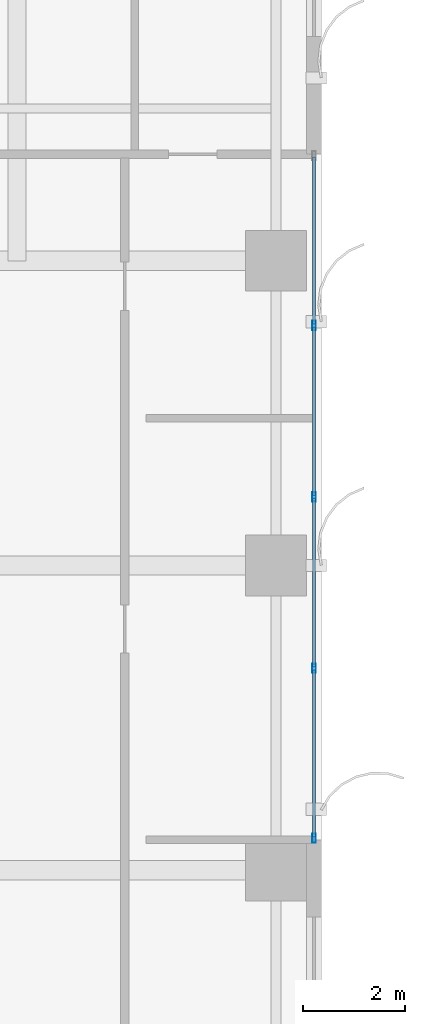
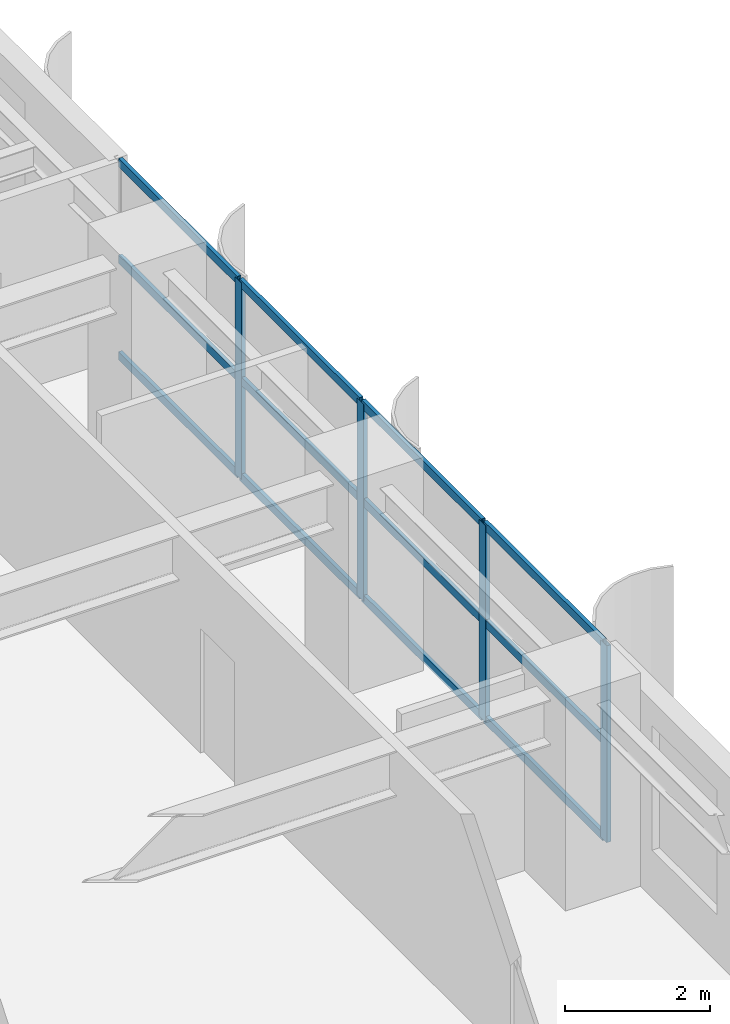
# One storey, part 4 of 16: 16 members, 1 element without a shape of its own.
"""IFC4 building model written with IfcOpenShell, lengths in metres."""

from ifc_helpers import new_model, si_unit, direction, frame, origin, origin_2d, place, context, subcontext, project, spatial, hollow_rectangle, extrude, source, transform, mapped, material, layer, layer_set, material_profile, profile_set, type_object, element, aggregate, save


model = new_model("IFC4")

# Units and contexts
model_context = context("Model", 3, precision=1e-05, world=origin(), true_north=direction((0.0, 1.0)))
body_context = subcontext(model_context, "Body", "Model", "MODEL_VIEW")
ifc_project = project(units=[si_unit("LENGTHUNIT", "METRE"), si_unit("AREAUNIT", "SQUARE_METRE"), si_unit("VOLUMEUNIT", "CUBIC_METRE"), si_unit("PLANEANGLEUNIT", "RADIAN"), si_unit("MASSUNIT", "GRAM", prefix="KILO")], contexts=[model_context])

# Site, building, storey
site_placement = place(None, origin())
site = spatial("IfcSite", under=ifc_project, at=site_placement, CompositionType="ELEMENT")
building_placement = place(site_placement, origin())
building = spatial("IfcBuilding", under=site, at=building_placement, Name="Khoralis Quay Care Tower", CompositionType="ELEMENT")
storey_placement = place(building_placement, frame((0.0, 0.0, 29.699951171875)))
storey = spatial("IfcBuildingStorey", under=building, at=storey_placement, Name="L07", CompositionType="ELEMENT", Elevation=29.699951171875)

# Curtain wall, members
ifc_material = material(Name="Pale anodised aluminium", Category="aluminium")
ifc_layer = layer(ifc_material, 0.179931640625)
ifc_layer_set = layer_set([ifc_layer], Name="Pale anodised aluminium")
curtain_wall_type = type_object("IfcCurtainWallType", Name="CW-SYS-Z1", PredefinedType="NOTDEFINED", material=ifc_layer_set)
curtain_wall_placement = place(storey_placement, origin())
curtain_wall = element("IfcCurtainWall", 1, at=curtain_wall_placement, inside=storey, type_object=curtain_wall_type, Name="L07 Unitised Curtain Wall CW-L07-P1-E5", PredefinedType="NOTDEFINED")
ifc_material_profile_1 = material_profile(ifc_material, hollow_rectangle(XDim=0.06494140625, YDim=0.179931640625, WallThickness=0.00390625, at=origin_2d()), Name="Pale anodised aluminium")
ifc_profile_set_1 = profile_set([ifc_material_profile_1], Name="Pale anodised aluminium")
member_type_1 = type_object("IfcMemberType", Name="CW-MUL-180", PredefinedType="MULLION", material=ifc_profile_set_1)
shared_shape_1 = source(origin(), body_context, "Body", "SweptSolid", [
    extrude(hollow_rectangle(XDim=0.06494140625, YDim=0.179931640625, WallThickness=0.00390625, at=origin_2d()), origin(), (0.0, 0.0, 1.0), 3.320068359375),
])
member_1_placement = place(storey_placement, frame((47.85009765625, 18.6298828125, 0.0), z_axis=(0.0, 0.0, 1.0), x_axis=(-1.0, 0.0, 0.0)))
member_1 = element("IfcMember", 2, at=member_1_placement, type_object=member_type_1, Name="CW1 mullion 1", PredefinedType="MULLION", context=body_context, shape_type="MappedRepresentation", body=[
    mapped(shared_shape_1, transform((0.0, 0.0, 0.0), scale=1.0)),
])
member_2_placement = place(storey_placement, frame((47.85009765625, 21.97509765625, 0.0), z_axis=(0.0, 0.0, 1.0), x_axis=(-1.0, 0.0, 0.0)))
member_2 = element("IfcMember", 3, at=member_2_placement, type_object=member_type_1, Name="CW1 mullion 2", PredefinedType="MULLION", context=body_context, shape_type="MappedRepresentation", body=[
    mapped(shared_shape_1, transform((0.0, 0.0, 0.0), scale=1.0)),
])
member_3_placement = place(storey_placement, frame((47.85009765625, 25.35009765625, 0.0), z_axis=(0.0, 0.0, 1.0), x_axis=(-1.0, 0.0, 0.0)))
member_3 = element("IfcMember", 4, at=member_3_placement, type_object=member_type_1, Name="CW1 mullion 3", PredefinedType="MULLION", context=body_context, shape_type="MappedRepresentation", body=[
    mapped(shared_shape_1, transform((0.0, 0.0, 0.0), scale=1.0)),
])
member_4_placement = place(storey_placement, frame((47.85009765625, 28.72509765625, 0.0), z_axis=(0.0, 0.0, 1.0), x_axis=(-1.0, 0.0, 0.0)))
member_4 = element("IfcMember", 5, at=member_4_placement, type_object=member_type_1, Name="CW1 mullion 4", PredefinedType="MULLION", context=body_context, shape_type="MappedRepresentation", body=[
    mapped(shared_shape_1, transform((0.0, 0.0, 0.0), scale=1.0)),
])
ifc_material_profile_2 = material_profile(ifc_material, hollow_rectangle(XDim=0.06005859375, YDim=0.139892578125, WallThickness=0.00390625, at=origin_2d()), Name="Pale anodised aluminium")
ifc_profile_set_2 = profile_set([ifc_material_profile_2], Name="Pale anodised aluminium")
member_type_2 = type_object("IfcMemberType", Name="CW-TRN-140", PredefinedType="USERDEFINED", material=ifc_profile_set_2)
shared_shape_2 = source(origin(), body_context, "Body", "SweptSolid", [
    extrude(hollow_rectangle(XDim=0.06005859375, YDim=0.139892578125, WallThickness=0.00390625, at=origin_2d()), origin(), (0.0, 0.0, 1.0), 3.28515625),
])
member_5_placement = place(storey_placement, frame((47.85009765625, 18.659912109375, 0.030029296875), z_axis=(0.0, 1.0, 0.0), x_axis=(-1.0, 0.0, 0.0)))
member_5 = element("IfcMember", 6, at=member_5_placement, type_object=member_type_2, Name="CW1 transom 1.1", ObjectType="TRANSOM", PredefinedType="USERDEFINED", context=body_context, shape_type="MappedRepresentation", body=[
    mapped(shared_shape_2, transform((0.0, 0.0, 0.0), scale=1.0)),
])
member_6_placement = place(storey_placement, frame((47.85009765625, 18.659912109375, 1.66015625), z_axis=(0.0, 1.0, 0.0), x_axis=(-1.0, 0.0, 0.0)))
member_6 = element("IfcMember", 7, at=member_6_placement, type_object=member_type_2, Name="CW1 transom 1.2", ObjectType="TRANSOM", PredefinedType="USERDEFINED", context=body_context, shape_type="MappedRepresentation", body=[
    mapped(shared_shape_2, transform((0.0, 0.0, 0.0), scale=1.0)),
])
member_7_placement = place(storey_placement, frame((47.85009765625, 18.659912109375, 3.2900390625), z_axis=(0.0, 1.0, 0.0), x_axis=(-1.0, 0.0, 0.0)))
member_7 = element("IfcMember", 8, at=member_7_placement, type_object=member_type_2, Name="CW1 transom 1.3", ObjectType="TRANSOM", PredefinedType="USERDEFINED", context=body_context, shape_type="MappedRepresentation", body=[
    mapped(shared_shape_2, transform((0.0, 0.0, 0.0), scale=1.0)),
])
member_8_placement = place(storey_placement, frame((47.85009765625, 28.7548828125, 0.030029296875), z_axis=(0.0, 1.0, 0.0), x_axis=(-1.0, 0.0, 0.0)))
member_8 = element("IfcMember", 9, at=member_8_placement, type_object=member_type_2, Name="CW1 transom 4.1", ObjectType="TRANSOM", PredefinedType="USERDEFINED", context=body_context, shape_type="MappedRepresentation", body=[
    mapped(shared_shape_2, transform((0.0, 0.0, 0.0), scale=1.0)),
])
member_9_placement = place(storey_placement, frame((47.85009765625, 28.7548828125, 1.66015625), z_axis=(0.0, 1.0, 0.0), x_axis=(-1.0, 0.0, 0.0)))
member_9 = element("IfcMember", 10, at=member_9_placement, type_object=member_type_2, Name="CW1 transom 4.2", ObjectType="TRANSOM", PredefinedType="USERDEFINED", context=body_context, shape_type="MappedRepresentation", body=[
    mapped(shared_shape_2, transform((0.0, 0.0, 0.0), scale=1.0)),
])
member_10_placement = place(storey_placement, frame((47.85009765625, 28.7548828125, 3.2900390625), z_axis=(0.0, 1.0, 0.0), x_axis=(-1.0, 0.0, 0.0)))
member_10 = element("IfcMember", 11, at=member_10_placement, type_object=member_type_2, Name="CW1 transom 4.3", ObjectType="TRANSOM", PredefinedType="USERDEFINED", context=body_context, shape_type="MappedRepresentation", body=[
    mapped(shared_shape_2, transform((0.0, 0.0, 0.0), scale=1.0)),
])
shared_shape_3 = source(origin(), body_context, "Body", "SweptSolid", [
    extrude(hollow_rectangle(XDim=0.06005859375, YDim=0.139892578125, WallThickness=0.00390625, at=origin_2d()), origin(), (0.0, 0.0, 1.0), 3.315185546875),
])
member_11_placement = place(storey_placement, frame((47.85009765625, 22.0048828125, 0.030029296875), z_axis=(0.0, 1.0, 0.0), x_axis=(-1.0, 0.0, 0.0)))
member_11 = element("IfcMember", 12, at=member_11_placement, type_object=member_type_2, Name="CW1 transom 2.1", ObjectType="TRANSOM", PredefinedType="USERDEFINED", context=body_context, shape_type="MappedRepresentation", body=[
    mapped(shared_shape_3, transform((0.0, 0.0, 0.0), scale=1.0)),
])
member_12_placement = place(storey_placement, frame((47.85009765625, 22.0048828125, 1.66015625), z_axis=(0.0, 1.0, 0.0), x_axis=(-1.0, 0.0, 0.0)))
member_12 = element("IfcMember", 13, at=member_12_placement, type_object=member_type_2, Name="CW1 transom 2.2", ObjectType="TRANSOM", PredefinedType="USERDEFINED", context=body_context, shape_type="MappedRepresentation", body=[
    mapped(shared_shape_3, transform((0.0, 0.0, 0.0), scale=1.0)),
])
member_13_placement = place(storey_placement, frame((47.85009765625, 22.0048828125, 3.2900390625), z_axis=(0.0, 1.0, 0.0), x_axis=(-1.0, 0.0, 0.0)))
member_13 = element("IfcMember", 14, at=member_13_placement, type_object=member_type_2, Name="CW1 transom 2.3", ObjectType="TRANSOM", PredefinedType="USERDEFINED", context=body_context, shape_type="MappedRepresentation", body=[
    mapped(shared_shape_3, transform((0.0, 0.0, 0.0), scale=1.0)),
])
member_14_placement = place(storey_placement, frame((47.85009765625, 25.3798828125, 0.030029296875), z_axis=(0.0, 1.0, 0.0), x_axis=(-1.0, 0.0, 0.0)))
member_14 = element("IfcMember", 15, at=member_14_placement, type_object=member_type_2, Name="CW1 transom 3.1", ObjectType="TRANSOM", PredefinedType="USERDEFINED", context=body_context, shape_type="MappedRepresentation", body=[
    mapped(shared_shape_3, transform((0.0, 0.0, 0.0), scale=1.0)),
])
member_15_placement = place(storey_placement, frame((47.85009765625, 25.3798828125, 1.66015625), z_axis=(0.0, 1.0, 0.0), x_axis=(-1.0, 0.0, 0.0)))
member_15 = element("IfcMember", 16, at=member_15_placement, type_object=member_type_2, Name="CW1 transom 3.2", ObjectType="TRANSOM", PredefinedType="USERDEFINED", context=body_context, shape_type="MappedRepresentation", body=[
    mapped(shared_shape_3, transform((0.0, 0.0, 0.0), scale=1.0)),
])
member_16_placement = place(storey_placement, frame((47.85009765625, 25.3798828125, 3.2900390625), z_axis=(0.0, 1.0, 0.0), x_axis=(-1.0, 0.0, 0.0)))
member_16 = element("IfcMember", 17, at=member_16_placement, type_object=member_type_2, Name="CW1 transom 3.3", ObjectType="TRANSOM", PredefinedType="USERDEFINED", context=body_context, shape_type="MappedRepresentation", body=[
    mapped(shared_shape_3, transform((0.0, 0.0, 0.0), scale=1.0)),
])
aggregate(curtain_wall, [member_1, member_2, member_3, member_4, member_5, member_6, member_7, member_11, member_12, member_13, member_14, member_15, member_16, member_8, member_9, member_10])

save(model, "model.ifc")
